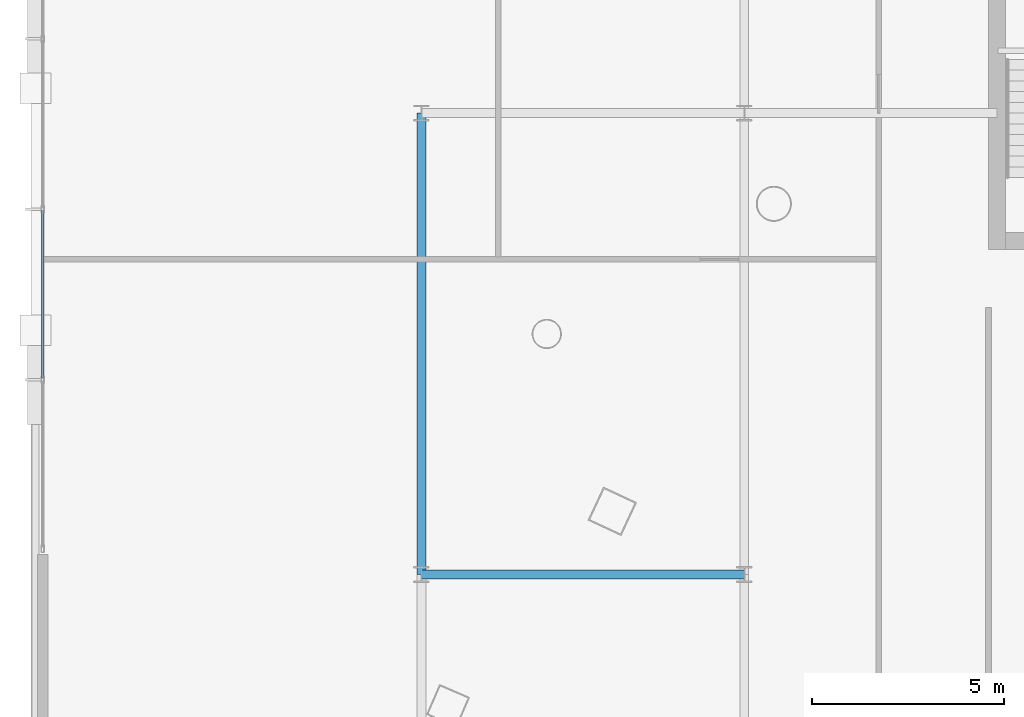
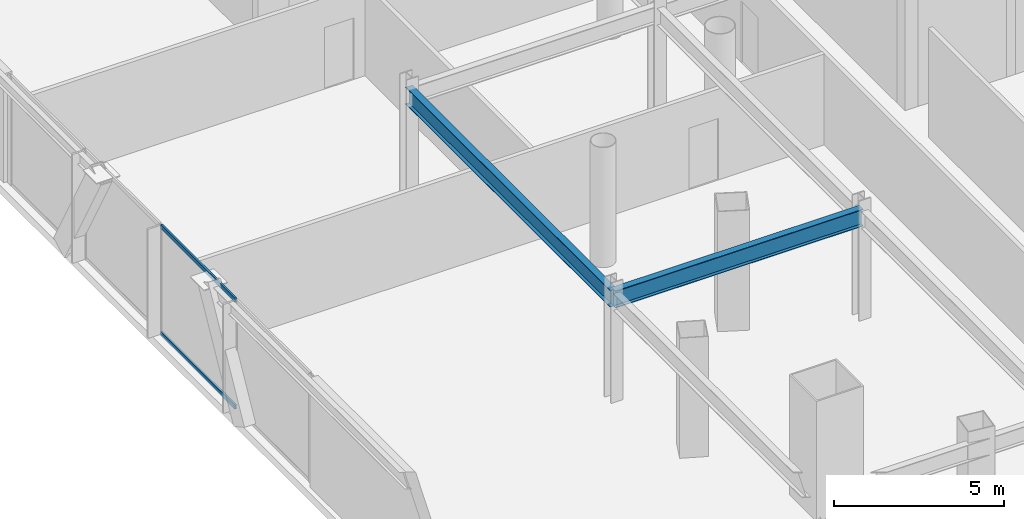
# One storey, part 10 of 46: 2 beams, 2 members, 1 element without a shape of its own.
"""IFC4 building model written with IfcOpenShell, lengths in metres."""

import ifcopenshell
import ifcopenshell.guid

model = None  # the IFC model being written
_history = None  # IfcOwnerHistory: only IFC2X3 demands one
_inside = {}  # id of a spatial element -> (the spatial element, [elements in it])
_under = {}  # id of a project, library or spatial element -> (it, [spatial elements below it])
_declared = {}  # id of a project -> (the project, [libraries it declares])
_typed = {}  # id of a type object -> (the type object, [elements of that type])
_made_of = {}  # id of a material, layer set ... -> (it, [elements and type objects made of it])


def new_model(schema):
    """Start an empty IFC model of exactly this schema.

    Asked for "IFC4X3", IfcOpenShell would pick the latest addendum, in which some entities
    have other attributes; the version numbers below select the first issue.
    IFC2X3 requires an IfcOwnerHistory on every rooted entity: one is made here for all.
    """
    global model, _history
    if schema == "IFC4X3":
        model = ifcopenshell.file(schema_version=(4, 3, 0, 0))
    else:
        model = ifcopenshell.file(schema=schema)
    _inside.clear()
    _under.clear()
    _declared.clear()
    _typed.clear()
    _made_of.clear()
    _history = None
    if model.schema == "IFC2X3":
        org = make("IfcOrganization", Name="unknown")
        user = make(
            "IfcPersonAndOrganization",
            ThePerson=make("IfcPerson", FamilyName="unknown"),
            TheOrganization=org,
        )
        app = make(
            "IfcApplication",
            ApplicationDeveloper=org,
            Version="unknown",
            ApplicationFullName="unknown",
            ApplicationIdentifier="unknown",
        )
        _history = make(
            "IfcOwnerHistory",
            OwningUser=user,
            OwningApplication=app,
            ChangeAction="ADDED",
            CreationDate=0,
        )
    return model


def make(cls, **values):
    """One entity of the class cls with the attributes given. An attribute that is None is left unset."""
    return model.create_entity(
        cls, **{name: value for name, value in values.items() if value is not None}
    )


def rooted(cls, **values):
    """An entity with a GlobalId (a new one), such as an element, a storey or a relation."""
    return make(cls, GlobalId=ifcopenshell.guid.new(), OwnerHistory=_history, **values)


def si_unit(unit_type, name, prefix=None):
    """IfcSIUnit, for example si_unit("LENGTHUNIT", "METRE", prefix="MILLI")."""
    return make("IfcSIUnit", UnitType=unit_type, Prefix=prefix, Name=name)


def assignment(units):
    """IfcUnitAssignment: the units of a project."""
    return None if units is None else make("IfcUnitAssignment", Units=units)


def point(xyz):
    """IfcCartesianPoint."""
    return None if xyz is None else make("IfcCartesianPoint", Coordinates=xyz)


def direction(xyz):
    """IfcDirection."""
    return None if xyz is None else make("IfcDirection", DirectionRatios=xyz)


def frame(location, z_axis=None, x_axis=None):
    """IfcAxis2Placement3D, a coordinate frame: its origin and axes. An axis left out is left unset."""
    return make(
        "IfcAxis2Placement3D",
        Location=point(location),
        Axis=direction(z_axis),
        RefDirection=direction(x_axis),
    )


def frame_2d(location, x_axis=None):
    """IfcAxis2Placement2D, a coordinate frame in the plane: its origin and x axis."""
    return make(
        "IfcAxis2Placement2D", Location=point(location), RefDirection=direction(x_axis)
    )


def origin():
    """The frame at (0, 0, 0) with its axes left unset."""
    return frame((0.0, 0.0, 0.0))


def origin_2d():
    """The frame at (0, 0) in the plane with its x axis left unset."""
    return frame_2d((0.0, 0.0))


def place(relative_to, where):
    """IfcLocalPlacement: puts the frame where relative to a parent placement (None: the world)."""
    return make(
        "IfcLocalPlacement", PlacementRelTo=relative_to, RelativePlacement=where
    )


def context(
    kind, dimensions, precision=None, world=None, true_north=None, identifier=None
):
    """IfcGeometricRepresentationContext, for example the 3D "Model" context."""
    return make(
        "IfcGeometricRepresentationContext",
        ContextIdentifier=identifier,
        ContextType=kind,
        CoordinateSpaceDimension=dimensions,
        Precision=precision,
        WorldCoordinateSystem=world,
        TrueNorth=true_north,
    )


def subcontext(parent, identifier, kind, view, scale=None):
    """IfcGeometricRepresentationSubContext, for example "Body" below "Model"."""
    return make(
        "IfcGeometricRepresentationSubContext",
        ContextIdentifier=identifier,
        ContextType=kind,
        ParentContext=parent,
        TargetScale=scale,
        TargetView=view,
    )


def project(units=None, contexts=None):
    """IfcProject with its units and contexts."""
    return rooted(
        "IfcProject",
        Name="project",
        RepresentationContexts=contexts,
        UnitsInContext=assignment(units),
    )


def spatial(cls, under=None, at=None, **own):
    """A site, building, storey or space (cls), placed at a placement, below another one or the project."""
    s = rooted(cls, ObjectPlacement=at, **own)
    if under is not None:
        _under.setdefault(under.id(), (under, []))[1].append(s)
    return s


def profile(cls, at=None, kind="AREA", **sizes):
    """A parametric profile (cls). Its sizes go by their IFC names, for example OverallWidth=200.0."""
    return make(cls, ProfileType=kind, Position=at, **sizes)


def hollow_rectangle(**sizes):
    """IfcRectangleHollowProfileDef."""
    return profile("IfcRectangleHollowProfileDef", **sizes)


def i_section(**sizes):
    """IfcIShapeProfileDef."""
    return profile("IfcIShapeProfileDef", **sizes)


def extrude(swept, where, along, depth):
    """IfcExtrudedAreaSolid: the profile swept, set in the frame where, extruded along a direction by depth."""
    return make(
        "IfcExtrudedAreaSolid",
        SweptArea=swept,
        Position=where,
        ExtrudedDirection=direction(along),
        Depth=depth,
    )


def shape(context_of_items, identifier, shape_type, items):
    """IfcShapeRepresentation: the items that make up one representation, for example the "Body"."""
    return make(
        "IfcShapeRepresentation",
        ContextOfItems=context_of_items,
        RepresentationIdentifier=identifier,
        RepresentationType=shape_type,
        Items=items,
    )


def material(Name=None, Category=None):
    """IfcMaterial."""
    return make("IfcMaterial", Name=Name, Category=Category)


def layer(
    of_material, thickness, ventilated=None, Name=None, Category=None, Priority=None
):
    """IfcMaterialLayer: one layer of a wall or slab, of a material (None: an air gap)."""
    return make(
        "IfcMaterialLayer",
        Material=of_material,
        LayerThickness=thickness,
        IsVentilated=ventilated,
        Name=Name,
        Category=Category,
        Priority=Priority,
    )


def layer_set(layers, Name=None):
    """IfcMaterialLayerSet."""
    return make("IfcMaterialLayerSet", MaterialLayers=layers, LayerSetName=Name)


def material_profile(
    of_material, cross_section, Name=None, Category=None, Priority=None
):
    """IfcMaterialProfile: a cross section and its material."""
    return make(
        "IfcMaterialProfile",
        Name=Name,
        Material=of_material,
        Profile=cross_section,
        Priority=Priority,
        Category=Category,
    )


def profile_set(profiles, Name=None, composite=None):
    """IfcMaterialProfileSet."""
    return make(
        "IfcMaterialProfileSet",
        Name=Name,
        MaterialProfiles=profiles,
        CompositeProfile=composite,
    )


def made_of(thing, what):
    """Note that an element or type object is made of a material, layer set ...; save() writes the relation."""
    if what is not None:
        _made_of.setdefault(what.id(), (what, []))[1].append(thing)
    return thing


def type_object(cls, material=None, **own):
    """A type object (cls), such as IfcWallType, which elements share."""
    return made_of(rooted(cls, **own), material)


def element(
    cls,
    number,
    at=None,
    inside=None,
    cuts=None,
    type_object=None,
    material=None,
    context=None,
    identifier="Body",
    shape_type=None,
    held_by="IfcProductDefinitionShape",
    body=None,
    shapes=None,
    **own,
):
    """One element of the class cls, such as IfcWall. Its Tag is "e" and its number.

    at: its placement. inside: the storey or other place that contains it. cuts: it is an
    opening in that element (IfcRelVoidsElement). A single representation is given by context,
    identifier, shape_type and body (its items); several are given by shapes. held_by: the class
    of the entity that holds the representations. save() writes the other relations.
    """
    e = rooted(cls, Tag="e%d" % number, ObjectPlacement=at, **own)
    if body is not None:
        shapes = [shape(context, identifier, shape_type, body)]
    if shapes is not None:
        e.Representation = make(held_by, Representations=shapes)
    if inside is not None:
        _inside.setdefault(inside.id(), (inside, []))[1].append(e)
    if cuts is not None:
        rooted(
            "IfcRelVoidsElement", RelatingBuildingElement=cuts, RelatedOpeningElement=e
        )
    if type_object is not None:
        _typed.setdefault(type_object.id(), (type_object, []))[1].append(e)
    return made_of(e, material)


def aggregate(whole, parts):
    """IfcRelAggregates: a whole, such as a stair, and the parts it consists of."""
    return rooted("IfcRelAggregates", RelatingObject=whole, RelatedObjects=parts)


def save(model, path):
    """Write the relations noted so far, then the file.

    IfcRelAggregates (storeys below a building ...), IfcRelContainedInSpatialStructure (elements
    in a storey), IfcRelDefinesByType, IfcRelAssociatesMaterial and IfcRelDeclares: one each for
    every whole, place, type object, material and project.
    """
    for whole, parts in _under.values():
        aggregate(whole, parts)
    for where, things in _inside.values():
        rooted(
            "IfcRelContainedInSpatialStructure",
            RelatedElements=things,
            RelatingStructure=where,
        )
    for kind, things in _typed.values():
        rooted("IfcRelDefinesByType", RelatedObjects=things, RelatingType=kind)
    for what, things in _made_of.values():
        rooted("IfcRelAssociatesMaterial", RelatedObjects=things, RelatingMaterial=what)
    for by, libraries in _declared.values():
        rooted("IfcRelDeclares", RelatingContext=by, RelatedDefinitions=libraries)
    model.write(path)


model = new_model("IFC4")

# Units and contexts
model_context = context("Model", 3, precision=1e-05, world=origin(), true_north=direction((0.0, 1.0)))
body_context = subcontext(model_context, "Body", "Model", "MODEL_VIEW")
ifc_project = project(units=[si_unit("LENGTHUNIT", "METRE"), si_unit("AREAUNIT", "SQUARE_METRE"), si_unit("VOLUMEUNIT", "CUBIC_METRE"), si_unit("PLANEANGLEUNIT", "RADIAN"), si_unit("MASSUNIT", "GRAM", prefix="KILO")], contexts=[model_context])

# Site, building, storey
site_placement = place(None, origin())
site = spatial("IfcSite", under=ifc_project, at=site_placement, CompositionType="ELEMENT")
building_placement = place(site_placement, origin())
building = spatial("IfcBuilding", under=site, at=building_placement, Name="Orvanel Arch Residences", CompositionType="ELEMENT")
storey_placement = place(building_placement, frame((0.0, 0.0, 14.10009765625)))
storey = spatial("IfcBuildingStorey", under=building, at=storey_placement, Name="L03", CompositionType="ELEMENT", Elevation=14.10009765625)

# Beams
ifc_material_1 = material(Name="Structural steel AS/NZS 3679.1 Grade 300 (300 MPa)", Category="steel")
ifc_material_profile_1 = material_profile(ifc_material_1, i_section(OverallWidth=0.22900390625, OverallDepth=0.612060546875, WebThickness=0.011962890625, FlangeThickness=0.01953125, at=origin_2d()), Name="610UB125")
ifc_profile_set_1 = profile_set([ifc_material_profile_1], Name="Structural steel AS/NZS 3679.1 Grade 300 (300 MPa)")
beam_type = type_object("IfcBeamType", Name="BG-610UB", PredefinedType="BEAM", material=ifc_profile_set_1)
beam_1_placement = place(storey_placement, frame((11.39990234375, 18.0, 3.593994140625), z_axis=(1.0, 0.0, 0.0), x_axis=(0.0, 1.0, 0.0)))
element("IfcBeam", 1, at=beam_1_placement, inside=storey, type_object=beam_type, Name="L03 BG-610UB beam", PredefinedType="BEAM", context=body_context, shape_type="SweptSolid", body=[
    extrude(i_section(OverallWidth=0.22900390625, OverallDepth=0.612060546875, WebThickness=0.011962890625, FlangeThickness=0.01953125, at=origin_2d()), origin(), (0.0, 0.0, 1.0), 8.400146484375),
])
beam_2_placement = place(storey_placement, frame((11.39990234375, 18.0, 3.593994140625), z_axis=(0.0, 1.0, 0.0), x_axis=(-1.0, 0.0, 0.0)))
element("IfcBeam", 2, at=beam_2_placement, inside=storey, type_object=beam_type, Name="L03 North-South Podium Girder XW11-M", PredefinedType="BEAM", context=body_context, shape_type="SweptSolid", body=[
    extrude(i_section(OverallWidth=0.22900390625, OverallDepth=0.612060546875, WebThickness=0.011962890625, FlangeThickness=0.01953125, at=origin_2d()), origin(), (0.0, 0.0, 1.0), 12.0),
])

# Curtain wall, members
ifc_material_2 = material(Name="Bronze-anodised aluminium AA6063-T6", Category="aluminium")
ifc_layer = layer(ifc_material_2, 0.199951171875)
ifc_layer_set = layer_set([ifc_layer], Name="Bronze-anodised aluminium AA6063-T6")
curtain_wall_type = type_object("IfcCurtainWallType", Name="CW1-POD-SYS", PredefinedType="NOTDEFINED", material=ifc_layer_set)
curtain_wall_placement = place(storey_placement, origin())
curtain_wall = element("IfcCurtainWall", 3, at=curtain_wall_placement, inside=storey, type_object=curtain_wall_type, Name="L03 CW1-POD-SYS Unitised Curtain Wall", PredefinedType="NOTDEFINED")
ifc_material_profile_2 = material_profile(ifc_material_2, hollow_rectangle(XDim=0.06494140625, YDim=0.14990234375, WallThickness=0.00390625, at=origin_2d()), Name="ALU150x65x4")
ifc_profile_set_2 = profile_set([ifc_material_profile_2], Name="Bronze-anodised aluminium AA6063-T6")
member_type = type_object("IfcMemberType", Name="TRN-150x65", PredefinedType="USERDEFINED", material=ifc_profile_set_2)
member_1_placement = place(storey_placement, frame((1.550048828125, 27.46240234375, 0.032470703125), z_axis=(0.0, -1.0, 0.0), x_axis=(1.0, 0.0, 0.0)))
member_1 = element("IfcMember", 4, at=member_1_placement, type_object=member_type, Name="CW-S1 transom 3.1", ObjectType="TRANSOM", PredefinedType="USERDEFINED", context=body_context, shape_type="SweptSolid", body=[
    extrude(hollow_rectangle(XDim=0.06494140625, YDim=0.14990234375, WallThickness=0.00390625, at=origin_2d()), origin(), (0.0, 0.0, 1.0), 4.35498046875),
])
member_2_placement = place(storey_placement, frame((1.550048828125, 27.46240234375, 3.867431640625), z_axis=(0.0, -1.0, 0.0), x_axis=(1.0, 0.0, 0.0)))
member_2 = element("IfcMember", 5, at=member_2_placement, type_object=member_type, Name="CW-S1 transom 3.2", ObjectType="TRANSOM", PredefinedType="USERDEFINED", context=body_context, shape_type="SweptSolid", body=[
    extrude(hollow_rectangle(XDim=0.06494140625, YDim=0.14990234375, WallThickness=0.00390625, at=origin_2d()), origin(), (0.0, 0.0, 1.0), 4.35498046875),
])
aggregate(curtain_wall, [member_1, member_2])

save(model, "model.ifc")
